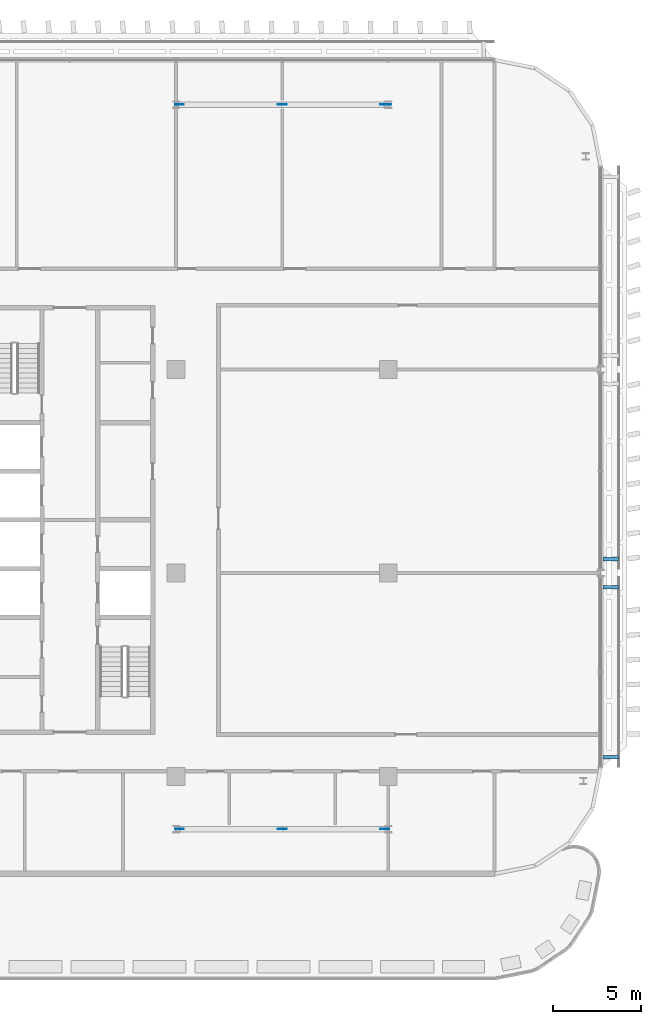
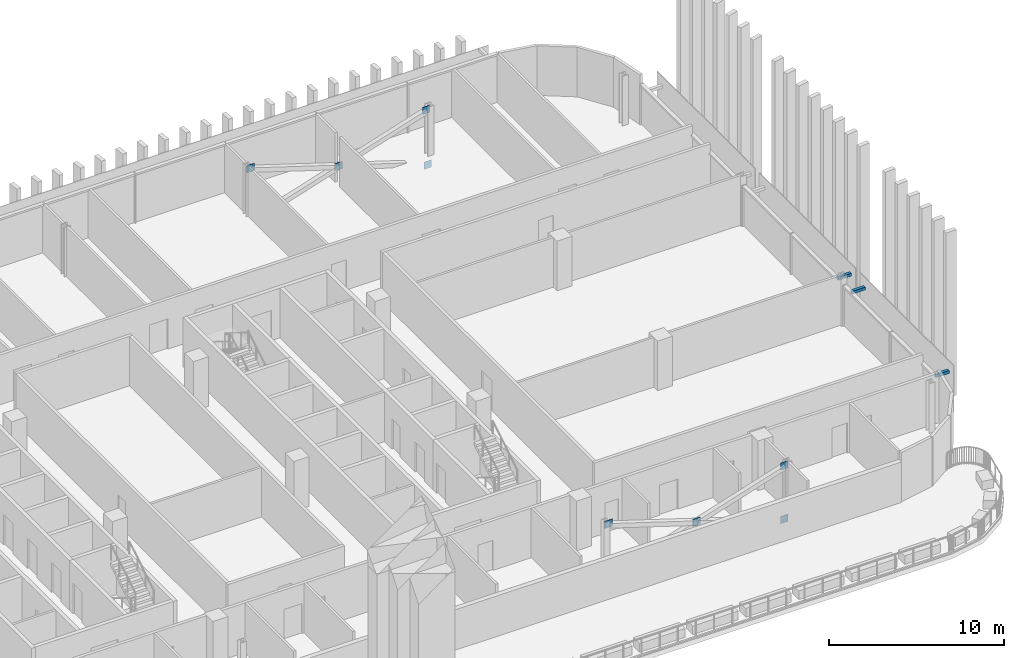
# One storey, part 20 of 30: 11 discrete accessories.
"""IFC4 building model written with IfcOpenShell, lengths in metres."""

from ifc_helpers import new_model, si_unit, direction, frame, origin, origin_2d, place, context, subcontext, project, spatial, rectangle, extrude, material, layer, layer_set, type_object, element, save


model = new_model("IFC4")

# Units and contexts
model_context = context("Model", 3, precision=1e-05, world=origin(), true_north=direction((0.0, 1.0)))
body_context = subcontext(model_context, "Body", "Model", "MODEL_VIEW")
ifc_project = project(units=[si_unit("LENGTHUNIT", "METRE"), si_unit("AREAUNIT", "SQUARE_METRE"), si_unit("VOLUMEUNIT", "CUBIC_METRE"), si_unit("PLANEANGLEUNIT", "RADIAN"), si_unit("MASSUNIT", "GRAM", prefix="KILO")], contexts=[model_context])

# Site, building, storey
site_placement = place(None, origin())
site = spatial("IfcSite", under=ifc_project, at=site_placement, CompositionType="ELEMENT")
building_placement = place(site_placement, origin())
building = spatial("IfcBuilding", under=site, at=building_placement, Name="Mahtab Terrace Research Tower", CompositionType="ELEMENT")
storey_placement = place(building_placement, frame((0.0, 0.0, 228.60009765625)))
storey = spatial("IfcBuildingStorey", under=building, at=storey_placement, Name="L55", CompositionType="ELEMENT", Elevation=228.60009765625)

# Discrete accessories
ifc_material_1 = material(Name="Black anodised aluminium", Category="aluminium")
discrete_accessory_type_1 = type_object("IfcDiscreteAccessoryType", Name="Facade bracket", PredefinedType="BRACKET", material=ifc_material_1)
for number, where, z_axis, x_axis, name in (
    (1, (54.5625, -10.39990234375, 2.552734375), (0.0, 0.0, 1.0), (0.0, 1.0, 0.0), "Screen bracket Girih screen L55 E21"),
    (2, (54.5625, -0.79296875, 2.552734375), (0.0, 0.0, 1.0), (0.0, 1.0, 0.0), "Screen bracket Girih screen L55 E21"),
    (3, (54.5625, 0.79296875, 2.552734375), (0.0, 0.0, 1.0), (0.0, 1.0, 0.0), "Screen bracket Girih screen L55 E22"),
):
    element("IfcDiscreteAccessory", number, at=place(storey_placement, frame(where, z_axis=z_axis, x_axis=x_axis)), inside=storey, type_object=discrete_accessory_type_1, Name=name, PredefinedType="BRACKET", context=body_context, shape_type="SweptSolid", body=[
        extrude(rectangle(XDim=0.199951171875, YDim=0.875, at=origin_2d()), origin(), (0.0, 0.0, 1.0), 0.199951171875),
    ])
ifc_material_2 = material(Name="Steel ASTM A992 Gr 50", Category="steel")
ifc_layer = layer(ifc_material_2, 0.030029296875)
ifc_layer_set = layer_set([ifc_layer], Name="Gusset plate 500x500x30")
discrete_accessory_type_2 = type_object("IfcDiscreteAccessoryType", Name="Gusset plate 500x500x30", PredefinedType="USERDEFINED", material=ifc_layer_set)
for number, where, z_axis, x_axis, name in (
    (4, (30.199462890625, -14.472900390625, 2.906494140625), (0.0, 0.0, 1.0), (1.0, 0.0, 0.0), "Gusset plate"),
    (5, (30.199462890625, 26.472900390625, 2.906494140625), (0.0, 0.0, 1.0), (1.0, 0.0, 0.0), "Gusset plate"),
    (6, (36.0, -14.472900390625, 1.00634765625), (0.0, 0.0, 1.0), (1.0, 0.0, 0.0), "Gusset plate"),
    (7, (36.0, 26.472900390625, 1.00634765625), (0.0, 0.0, 1.0), (1.0, 0.0, 0.0), "Gusset plate"),
    (8, (41.800537109375, -14.472900390625, -0.83056640625), (0.0, 0.0, 1.0), (1.0, 0.0, 0.0), "Gusset plate"),
    (9, (41.800537109375, -14.472900390625, 2.906494140625), (0.0, 0.0, 1.0), (1.0, 0.0, 0.0), "Gusset plate"),
    (10, (41.900390625, 26.472900390625, -0.96044921875), (0.0, 0.0, 1.0), (1.0, 0.0, 0.0), "Gusset plate"),
    (11, (41.800537109375, 26.472900390625, 2.906494140625), (0.0, 0.0, 1.0), (1.0, 0.0, 0.0), "Gusset plate"),
):
    element("IfcDiscreteAccessory", number, at=place(storey_placement, frame(where, z_axis=z_axis, x_axis=x_axis)), inside=storey, type_object=discrete_accessory_type_2, Name=name, ObjectType="GUSSET PLATE", PredefinedType="USERDEFINED", context=body_context, shape_type="SweptSolid", body=[
        extrude(rectangle(XDim=0.5, YDim=0.030029296875, at=origin_2d()), origin(), (0.0, 0.0, 1.0), 0.5),
    ])

save(model, "model.ifc")
